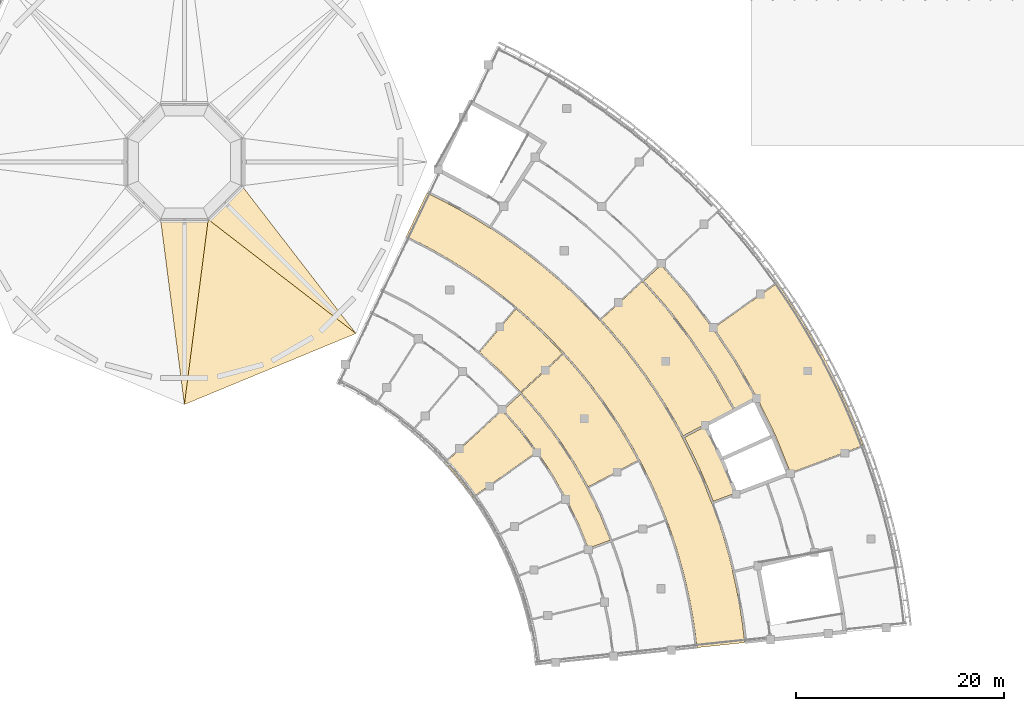
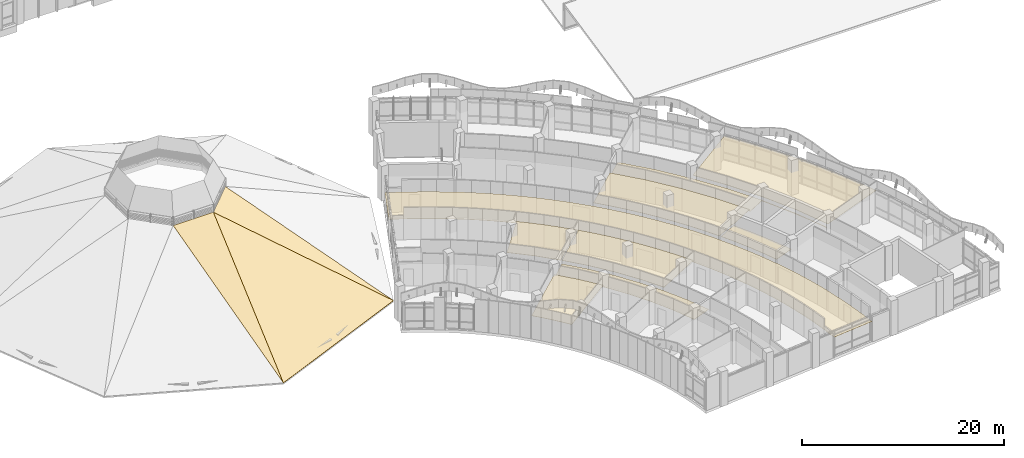
# One storey, part 117 of 137: 12 coverings.
"""IFC4 building model written with IfcOpenShell, lengths in metres."""

from ifc_helpers import new_model, si_unit, direction, frame, origin, place, context, subcontext, project, spatial, polyline, outline, extrude, material, layer, layer_set, type_object, element, save


model = new_model("IFC4")

# Units and contexts
model_context = context("Model", 3, precision=1e-05, world=origin(), true_north=direction((0.0, 1.0)))
body_context = subcontext(model_context, "Body", "Model", "MODEL_VIEW")
ifc_project = project(units=[si_unit("LENGTHUNIT", "METRE"), si_unit("AREAUNIT", "SQUARE_METRE"), si_unit("VOLUMEUNIT", "CUBIC_METRE"), si_unit("PLANEANGLEUNIT", "RADIAN"), si_unit("MASSUNIT", "GRAM", prefix="KILO")], contexts=[model_context])

# Site, building, storey
site_placement = place(None, origin())
site = spatial("IfcSite", under=ifc_project, at=site_placement, CompositionType="ELEMENT")
building_placement = place(site_placement, origin())
building = spatial("IfcBuilding", under=site, at=building_placement, Name="Bougainvillea Quay General Hospital", CompositionType="ELEMENT")
storey_placement = place(building_placement, frame((0.0, 0.0, 16.800048828125)))
storey = spatial("IfcBuildingStorey", under=building, at=storey_placement, Name="L03", CompositionType="ELEMENT", Elevation=16.800048828125)

# Coverings
ifc_material_1 = material(Name="Standing seam zinc-titanium roofing, grey")
ifc_layer_1 = layer(ifc_material_1, 0.0400390625)
ifc_layer_set_1 = layer_set([ifc_layer_1], Name="Standing seam zinc-titanium roofing, grey")
covering_type_1 = type_object("IfcCoveringType", Name="Standing seam metal roofing RP1 40", PredefinedType="ROOFING", material=ifc_layer_set_1)
covering_1_placement = place(storey_placement, frame((109.199951171875, 50.6201171875, 0.0), z_axis=(0.0, -0.450475782911, 0.892788647447), x_axis=(-0.114164949243, 0.886951424039, 0.447530485844)))
element("IfcCovering", 1, at=covering_1_placement, inside=storey, type_object=covering_type_1, Name="Roof covering RP112", PredefinedType="ROOFING", context=body_context, shape_type="SweptSolid", body=[
    extrude(outline(polyline([(0.0, 0.0), (20.110361829373563, 3.885780586188048e-16), (19.58611169990497, -4.5620173707401035), (0.0, 0.0)])), origin(), (-0.447530485844, 0.051428544891, -0.892788647447), 0.0400390625),
])
covering_2_placement = place(storey_placement, frame((111.49609375, 68.45703125, 9.0), z_axis=(0.191234859872, -0.461673091242, 0.866191194364), x_axis=(-0.11417693103, -0.88695019469, -0.44752986555)))
element("IfcCovering", 2, at=covering_2_placement, inside=storey, type_object=covering_type_1, Name="Roof covering RP113", PredefinedType="ROOFING", context=body_context, shape_type="SweptSolid", body=[
    extrude(outline(polyline([(0.0, 0.0), (20.110389703138246, 0.0), (12.149072101677993, 16.025529776134864), (0.0, 0.0)])), origin(), (0.44752986555, 0.222328212892, -0.866191194364), 0.0400390625),
])
covering_3_placement = place(storey_placement, frame((125.73193359375, 57.468017578125, 0.0), z_axis=(0.318548773302, -0.318524822266, 0.892786993985), x_axis=(-0.707893773668, 0.546441547703, 0.447535518307)))
element("IfcCovering", 3, at=covering_3_placement, inside=storey, type_object=covering_type_1, Name="Roof covering RP114", PredefinedType="ROOFING", context=body_context, shape_type="SweptSolid", body=[
    extrude(outline(polyline([(0.0, 0.0), (20.11013569167438, 2.4424906541753444e-15), (19.586061787485374, -4.561873775943323), (0.0, 0.0)])), origin(), (-0.447535518307, 0.051413453739, -0.892786993985), 0.0400390625),
])
ifc_material_2 = material(Name="Mineral fibre ceiling tile")
ifc_layer_2 = layer(ifc_material_2, 0.030029296875)
ifc_layer_set_2 = layer_set([ifc_layer_2], Name="Mineral fibre ceiling tile")
covering_type_2 = type_object("IfcCoveringType", Name="Suspended ceiling mineral fibre tile", PredefinedType="CEILING", material=ifc_layer_set_2)
covering_4_placement = place(storey_placement, frame((0.0, 0.0, 2.39990234375)))
element("IfcCovering", 4, at=covering_4_placement, inside=storey, type_object=covering_type_2, Name="Ceiling Outpatient Spine Corridor", PredefinedType="CEILING", context=body_context, shape_type="SweptSolid", body=[
    extrude(outline(polyline([(130.552978515625, 66.76806640625), (130.58642578125, 66.835205078125), (131.917236328125, 66.174560546875), (131.91845703125, 66.176513671875), (131.9833984375, 66.1416015625), (132.049560546875, 66.10888671875), (132.048583984375, 66.106689453125), (133.29443359375, 65.4384765625), (133.295654296875, 65.4404296875), (133.359375, 65.403564453125), (133.424560546875, 65.36865234375), (133.42333984375, 65.36669921875), (134.647705078125, 64.659423828125), (134.64892578125, 64.661376953125), (134.71142578125, 64.622314453125), (134.775390625, 64.58544921875), (134.7744140625, 64.58349609375), (135.975830078125, 63.838134765625), (135.97705078125, 63.840087890625), (136.03857421875, 63.799072265625), (136.101318359375, 63.76025390625), (136.10009765625, 63.75830078125), (137.277099609375, 62.9755859375), (137.2783203125, 62.9775390625), (137.338623046875, 62.934814453125), (137.39990234375, 62.89404296875), (137.398681640625, 62.89208984375), (138.55029296875, 62.0732421875), (138.551513671875, 62.0751953125), (138.6103515625, 62.030517578125), (138.670654296875, 61.987548828125), (138.669189453125, 61.98583984375), (139.795654296875, 61.130615234375), (139.79736328125, 61.132568359375), (139.8544921875, 61.0859375), (139.9130859375, 61.041259765625), (139.91162109375, 61.039306640625), (141.15185546875, 60.027099609375), (141.1533203125, 60.02880859375), (141.209228515625, 59.98046875), (141.2666015625, 59.93359375), (141.26513671875, 59.93212890625), (142.193115234375, 59.13037109375), (142.194580078125, 59.132080078125), (142.2490234375, 59.08203125), (142.3046875, 59.03369140625), (142.30322265625, 59.031982421875), (143.34326171875, 58.074462890625), (143.344970703125, 58.076171875), (143.397705078125, 58.0244140625), (143.451904296875, 57.974365234375), (143.450439453125, 57.97265625), (144.460693359375, 56.983154296875), (144.462646484375, 56.985107421875), (144.513427734375, 56.931640625), (144.566162109375, 56.880126953125), (144.564208984375, 56.878173828125), (145.731201171875, 55.650634765625), (145.732666015625, 55.65185546875), (145.781982421875, 55.596923828125), (145.8330078125, 55.543212890625), (145.83154296875, 55.541748046875), (146.589111328125, 54.6982421875), (146.5908203125, 54.69970703125), (146.638671875, 54.643310546875), (146.68798828125, 54.58837890625), (146.686279296875, 54.5869140625), (147.598388671875, 53.5068359375), (147.600341796875, 53.50830078125), (147.64599609375, 53.450439453125), (147.693603515625, 53.39404296875), (147.69189453125, 53.392578125), (148.569580078125, 52.283447265625), (148.571533203125, 52.284912109375), (148.615478515625, 52.2255859375), (148.661376953125, 52.167724609375), (148.65966796875, 52.166259765625), (149.502197265625, 51.030517578125), (149.504638671875, 51.0322265625), (149.546142578125, 50.971435546875), (149.58984375, 50.912353515625), (149.587646484375, 50.91064453125), (150.80615234375, 49.1279296875), (150.80859375, 49.12939453125), (150.84765625, 49.067138671875), (150.88916015625, 49.00634765625), (150.886962890625, 49.0048828125), (151.639892578125, 47.806396484375), (151.641845703125, 47.8076171875), (151.67919921875, 47.743896484375), (151.718505859375, 47.681396484375), (151.71630859375, 47.68017578125), (152.429931640625, 46.459716796875), (152.431884765625, 46.460693359375), (152.46728515625, 46.39599609375), (152.504638671875, 46.33203125), (152.502685546875, 46.3310546875), (153.044921875, 45.3369140625), (153.046875, 45.337890625), (153.080322265625, 45.27197265625), (153.11572265625, 45.20703125), (153.11376953125, 45.2060546875), (153.882080078125, 43.694580078125), (153.884521484375, 43.695556640625), (153.91552734375, 43.62890625), (153.94873046875, 43.563232421875), (153.946533203125, 43.56201171875), (154.54248046875, 42.279541015625), (154.54443359375, 42.280517578125), (154.573486328125, 42.212646484375), (154.604736328125, 42.1455078125), (154.6025390625, 42.14453125), (155.157470703125, 40.84423828125), (155.159423828125, 40.84521484375), (155.1865234375, 40.7763671875), (155.21533203125, 40.70849609375), (155.21337890625, 40.70751953125), (155.659423828125, 39.567138671875), (155.661376953125, 39.56787109375), (155.686279296875, 39.498291015625), (155.713134765625, 39.429443359375), (155.711181640625, 39.4287109375), (156.251220703125, 37.91943359375), (156.253662109375, 37.920166015625), (156.276123046875, 37.85009765625), (156.30078125, 37.78076171875), (156.298583984375, 37.77978515625), (156.728271484375, 36.43310546875), (156.73046875, 36.43359375), (156.750732421875, 36.36279296875), (156.773193359375, 36.292236328125), (156.77099609375, 36.291748046875), (157.1591796875, 34.932373046875), (157.161376953125, 34.93310546875), (157.179443359375, 34.861328125), (157.19970703125, 34.79052734375), (157.197509765625, 34.789794921875), (157.5419921875, 33.418701171875), (157.544189453125, 33.419189453125), (157.56005859375, 33.34716796875), (157.578125, 33.275634765625), (157.57568359375, 33.27490234375), (157.877685546875, 31.89404296875), (157.880126953125, 31.89453125), (157.8935546875, 31.82177734375), (157.9091796875, 31.749755859375), (157.906982421875, 31.749267578125), (158.16455078125, 30.360107421875), (158.166748046875, 30.360595703125), (158.177978515625, 30.28759765625), (158.19140625, 30.21484375), (158.189208984375, 30.214599609375), (158.403076171875, 28.817138671875), (158.405517578125, 28.817626953125), (158.414306640625, 28.744140625), (158.425537109375, 28.671142578125), (158.42333984375, 28.6708984375), (158.603271484375, 27.192138671875), (163.20263671875, 27.67626953125), (162.993896484375, 29.3994140625), (162.73046875, 31.111083984375), (162.412109375, 32.81396484375), (162.03955078125, 34.5068359375), (162.0166015625, 34.603271484375), (162.01806640625, 34.603515625), (162.017822265625, 34.605224609375), (162.039306640625, 34.60986328125), (161.70751953125, 35.935791015625), (161.251220703125, 37.553466796875), (160.744873046875, 39.1552734375), (160.07568359375, 41.043212890625), (160.0556640625, 41.03515625), (160.05517578125, 41.03662109375), (160.0537109375, 41.0361328125), (160.018798828125, 41.12890625), (159.382568359375, 42.74072265625), (158.69580078125, 44.331787109375), (157.958251953125, 45.89892578125), (157.170166015625, 47.44287109375), (157.123779296875, 47.530517578125), (157.125244140625, 47.53125), (157.12451171875, 47.53271484375), (157.143798828125, 47.54248046875), (156.35693359375, 48.9716796875), (155.47216796875, 50.462646484375), (154.540283203125, 51.923583984375), (153.562744140625, 53.354736328125), (152.5400390625, 54.753662109375), (151.4736328125, 56.119873046875), (150.36328125, 57.451171875), (149.2119140625, 58.74609375), (147.61376953125, 60.4140625), (146.40673828125, 61.583251953125), (145.164306640625, 62.7158203125), (143.88818359375, 63.808349609375), (142.577880859375, 64.86181640625), (141.489501953125, 65.6875), (140.079345703125, 66.6953125), (138.72265625, 67.601806640625), (138.711181640625, 67.583251953125), (138.709716796875, 67.583984375), (138.708984375, 67.582763671875), (138.62548828125, 67.636474609375), (137.153564453125, 68.55224609375), (135.654296875, 69.419677734375), (134.128173828125, 70.240234375), (132.5771484375, 71.0107421875), (130.552978515625, 66.76806640625)])), origin(), (0.0, 0.0, 1.0), 0.030029296875),
])
covering_5_placement = place(storey_placement, frame((0.0, 0.0, 2.699951171875)))
element("IfcCovering", 5, at=covering_5_placement, inside=storey, type_object=covering_type_2, Name="Ceiling Lift Lobby LB-E1", PredefinedType="CEILING", context=body_context, shape_type="SweptSolid", body=[
    extrude(outline(polyline([(159.424560546875, 48.52392578125), (157.392822265625, 47.44677734375), (158.093017578125, 46.07470703125), (158.095947265625, 46.076171875), (158.1376953125, 45.987060546875), (158.1826171875, 45.8994140625), (158.1796875, 45.89794921875), (158.836181640625, 44.503173828125), (158.839111328125, 44.50439453125), (158.878173828125, 44.4140625), (158.920166015625, 44.3251953125), (158.917236328125, 44.32373046875), (159.5283203125, 42.907470703125), (159.53125, 42.90869140625), (159.5673828125, 42.817138671875), (159.6064453125, 42.726806640625), (159.603515625, 42.7255859375), (160.1689453125, 41.293212890625), (162.3212890625, 42.10400390625), (161.693115234375, 43.696044921875), (160.97412109375, 45.360107421875), (160.202880859375, 46.9990234375), (159.424560546875, 48.52392578125)])), origin(), (0.0, 0.0, 1.0), 0.030029296875),
])
covering_6_placement = place(storey_placement, frame((0.0, 0.0, 2.39990234375)))
element("IfcCovering", 6, at=covering_6_placement, inside=storey, type_object=covering_type_2, Name="Ceiling Clinic Corridor 03E1", PredefinedType="CEILING", context=body_context, shape_type="SweptSolid", body=[
    extrude(outline(polyline([(165.89599609375, 47.580078125), (166.68408203125, 45.759033203125), (167.412109375, 43.9130859375), (167.376953125, 44.006591796875), (167.459228515625, 44.03759765625), (166.010498046875, 47.63232421875), (164.2607421875, 51.201904296875), (162.2861328125, 54.653564453125), (160.095703125, 57.97265625), (157.69873046875, 61.14453125), (155.143798828125, 64.05908203125), (153.48828125, 62.53759765625), (155.8994140625, 59.785888671875), (155.903564453125, 59.7890625), (155.947265625, 59.7314453125), (155.994873046875, 59.677001953125), (155.990966796875, 59.673583984375), (158.21435546875, 56.7314453125), (158.21826171875, 56.73388671875), (158.25830078125, 56.67333984375), (158.302001953125, 56.615478515625), (158.29833984375, 56.612548828125), (160.329833984375, 53.5361328125), (160.333984375, 53.538330078125), (160.369873046875, 53.475341796875), (160.409912109375, 53.414794921875), (160.406005859375, 53.412109375), (162.27099609375, 50.150146484375), (162.2060546875, 50.113037109375), (164.14990234375, 51.14404296875), (165.052001953125, 49.3759765625), (165.89599609375, 47.580078125)])), origin(), (0.0, 0.0, 1.0), 0.030029296875),
])
covering_7_placement = place(storey_placement, frame((0.0, 0.0, 2.699951171875)))
element("IfcCovering", 7, at=covering_7_placement, inside=storey, type_object=covering_type_2, Name="Ceiling Immunisation Waiting Hall 03E101", PredefinedType="CEILING", context=body_context, shape_type="SweptSolid", body=[
    extrude(outline(polyline([(162.1396484375, 50.077880859375), (160.2421875, 53.396728515625), (158.1357421875, 56.586669921875), (155.830810546875, 59.63671875), (153.3447265625, 62.4736328125), (149.35693359375, 58.8115234375), (149.373046875, 58.794677734375), (149.37109375, 58.792724609375), (150.427734375, 57.604248046875), (150.429443359375, 57.605712890625), (150.476806640625, 57.548828125), (150.52587890625, 57.493896484375), (150.524169921875, 57.4921875), (151.54296875, 56.270751953125), (151.544921875, 56.272216796875), (151.59033203125, 56.214111328125), (151.6376953125, 56.157470703125), (151.6357421875, 56.156005859375), (152.614501953125, 54.90234375), (152.6162109375, 54.90380859375), (152.659912109375, 54.84423828125), (152.705322265625, 54.7861328125), (152.703369140625, 54.78466796875), (153.6416015625, 53.5009765625), (153.6435546875, 53.502197265625), (153.685302734375, 53.44140625), (153.728759765625, 53.381591796875), (153.726806640625, 53.38037109375), (154.6240234375, 52.0673828125), (154.6259765625, 52.068603515625), (154.66552734375, 52.00634765625), (154.707275390625, 51.9453125), (154.705322265625, 51.944091796875), (155.560302734375, 50.603515625), (155.562255859375, 50.604736328125), (155.599853515625, 50.541259765625), (155.6396484375, 50.47900390625), (155.637451171875, 50.477783203125), (156.449462890625, 49.109619140625), (156.451416015625, 49.11083984375), (156.487060546875, 49.046142578125), (156.524658203125, 48.982666015625), (156.522705078125, 48.9814453125), (157.277099609375, 47.61181640625), (159.332275390625, 48.701416015625), (159.37890625, 48.61328125), (162.1396484375, 50.077880859375)])), origin(), (0.0, 0.0, 1.0), 0.030029296875),
])
covering_8_placement = place(storey_placement, frame((0.0, 0.0, 2.699951171875)))
element("IfcCovering", 8, at=covering_8_placement, inside=storey, type_object=covering_type_2, Name="Ceiling Allergy Examination Room 03E112", PredefinedType="CEILING", context=body_context, shape_type="SweptSolid", body=[
    extrude(outline(polyline([(170.72802734375, 55.365966796875), (170.684326171875, 55.341552734375), (169.604736328125, 57.2607421875), (168.465576171875, 59.1435546875), (167.2685546875, 60.9892578125), (166.343505859375, 62.326904296875), (160.24853515625, 58.019287109375), (160.261962890625, 58.00146484375), (160.25830078125, 57.99853515625), (162.373779296875, 54.79296875), (162.3779296875, 54.79541015625), (162.413818359375, 54.732421875), (162.453857421875, 54.671630859375), (162.449951171875, 54.669189453125), (164.357177734375, 51.335205078125), (164.361328125, 51.33740234375), (164.393310546875, 51.272216796875), (164.429443359375, 51.209228515625), (164.42529296875, 51.206787109375), (166.11572265625, 47.758544921875), (166.12060546875, 47.760498046875), (166.1474609375, 47.693603515625), (166.179443359375, 47.628662109375), (166.174560546875, 47.62646484375), (167.599853515625, 44.090087890625), (167.604736328125, 44.090087890625), (167.62060546875, 44.044677734375), (174.640869140625, 46.68798828125), (173.955810546875, 48.440185546875), (173.09228515625, 50.462646484375), (172.166015625, 52.456298828125), (171.17626953125, 54.421630859375), (171.220947265625, 54.444091796875), (170.72802734375, 55.365966796875)])), origin(), (0.0, 0.0, 1.0), 0.030029296875),
])
covering_9_placement = place(storey_placement, frame((0.0, 0.0, 2.699951171875)))
element("IfcCovering", 9, at=covering_9_placement, inside=storey, type_object=covering_type_2, Name="Ceiling Simulation Consulting Room 03E102", PredefinedType="CEILING", context=body_context, shape_type="SweptSolid", body=[
    extrude(outline(polyline([(137.658447265625, 55.65380859375), (139.641357421875, 53.870361328125), (139.64501953125, 53.8740234375), (139.695068359375, 53.822021484375), (139.7490234375, 53.773681640625), (139.745361328125, 53.769775390625), (141.574951171875, 51.868896484375), (141.57958984375, 51.87060546875), (141.611328125, 51.83447265625), (145.63720703125, 55.531494140625), (144.406494140625, 56.826416015625), (143.29443359375, 57.91552734375), (142.149169921875, 58.969970703125), (141.150390625, 59.8330078125), (137.6435546875, 55.67138671875), (137.661376953125, 55.657470703125), (137.658447265625, 55.65380859375)])), origin(), (0.0, 0.0, 1.0), 0.030029296875),
])
covering_10_placement = place(storey_placement, frame((0.0, 0.0, 2.39990234375)))
element("IfcCovering", 10, at=covering_10_placement, inside=storey, type_object=covering_type_2, Name="Ceiling Clinic Corridor 03E1", PredefinedType="CEILING", context=body_context, shape_type="SweptSolid", body=[
    extrude(outline(polyline([(141.585693359375, 48.233154296875), (141.629150390625, 48.17529296875), (141.6767578125, 48.12109375), (141.6728515625, 48.11767578125), (143.1884765625, 46.111328125), (143.1923828125, 46.114013671875), (143.232177734375, 46.05322265625), (143.276123046875, 45.995361328125), (143.2724609375, 45.99267578125), (144.65673828125, 43.89501953125), (144.660888671875, 43.8974609375), (144.697021484375, 43.834228515625), (144.73681640625, 43.773681640625), (144.733154296875, 43.771240234375), (145.981201171875, 41.59033203125), (145.9853515625, 41.59228515625), (146.017333984375, 41.527099609375), (146.053466796875, 41.464111328125), (146.04931640625, 41.4619140625), (147.15576171875, 39.20361328125), (147.160400390625, 39.20556640625), (147.1875, 39.138671875), (147.21923828125, 39.07373046875), (147.214599609375, 39.0712890625), (148.143798828125, 36.76611328125), (150.248291015625, 37.558349609375), (149.238525390625, 40.064453125), (148.004638671875, 42.580810546875), (146.614013671875, 45.013671875), (145.06982421875, 47.352783203125), (143.380859375, 49.587646484375), (141.599609375, 51.6201171875), (139.943115234375, 50.0986328125), (141.58154296875, 48.22998046875), (141.585693359375, 48.233154296875)])), origin(), (0.0, 0.0, 1.0), 0.030029296875),
])
covering_11_placement = place(storey_placement, frame((0.0, 0.0, 2.699951171875)))
element("IfcCovering", 11, at=covering_11_placement, inside=storey, type_object=covering_type_2, Name="Ceiling Seminar Waiting Hall 03E101", PredefinedType="CEILING", context=body_context, shape_type="SweptSolid", body=[
    extrude(outline(polyline([(148.49658203125, 52.13427734375), (147.530029296875, 53.35546875), (146.525390625, 54.544677734375), (145.705078125, 55.4580078125), (141.678955078125, 51.7607421875), (141.71240234375, 51.72607421875), (141.710205078125, 51.721435546875), (143.449462890625, 49.73681640625), (143.45361328125, 49.739990234375), (143.497314453125, 49.682373046875), (143.544921875, 49.6279296875), (143.540771484375, 49.62451171875), (145.1484375, 47.497314453125), (145.15234375, 47.5), (145.1923828125, 47.439208984375), (145.236083984375, 47.38134765625), (145.232421875, 47.378662109375), (146.701904296875, 45.153076171875), (146.705810546875, 45.1552734375), (146.741943359375, 45.09228515625), (146.781982421875, 45.03173828125), (146.778076171875, 45.029052734375), (148.10107421875, 42.71435546875), (148.105224609375, 42.71630859375), (148.115234375, 42.696044921875), (152.923828125, 45.245849609375), (152.336669921875, 46.322021484375), (151.55078125, 47.666015625), (150.72216796875, 48.98486328125), (149.423828125, 50.884521484375), (148.49658203125, 52.13427734375)])), origin(), (0.0, 0.0, 1.0), 0.030029296875),
])
covering_12_placement = place(storey_placement, frame((0.0, 0.0, 2.699951171875)))
element("IfcCovering", 12, at=covering_12_placement, inside=storey, type_object=covering_type_2, Name="Ceiling Seminar Room 03E111", PredefinedType="CEILING", context=body_context, shape_type="SweptSolid", body=[
    extrude(outline(polyline([(134.96826171875, 44.25732421875), (134.969482421875, 44.25830078125), (135.03369140625, 44.183837890625), (135.032470703125, 44.182861328125), (135.664306640625, 43.42333984375), (135.66552734375, 43.424072265625), (135.727294921875, 43.34765625), (135.726318359375, 43.3466796875), (136.33447265625, 42.56884765625), (136.3359375, 42.56982421875), (136.395263671875, 42.491455078125), (136.393798828125, 42.490478515625), (136.976318359375, 41.693359375), (143.07958984375, 46.006591796875), (141.5126953125, 48.08056640625), (139.7998046875, 50.03466796875), (134.31201171875, 44.994384765625), (134.96826171875, 44.25732421875)])), origin(), (0.0, 0.0, 1.0), 0.030029296875),
])

save(model, "model.ifc")
